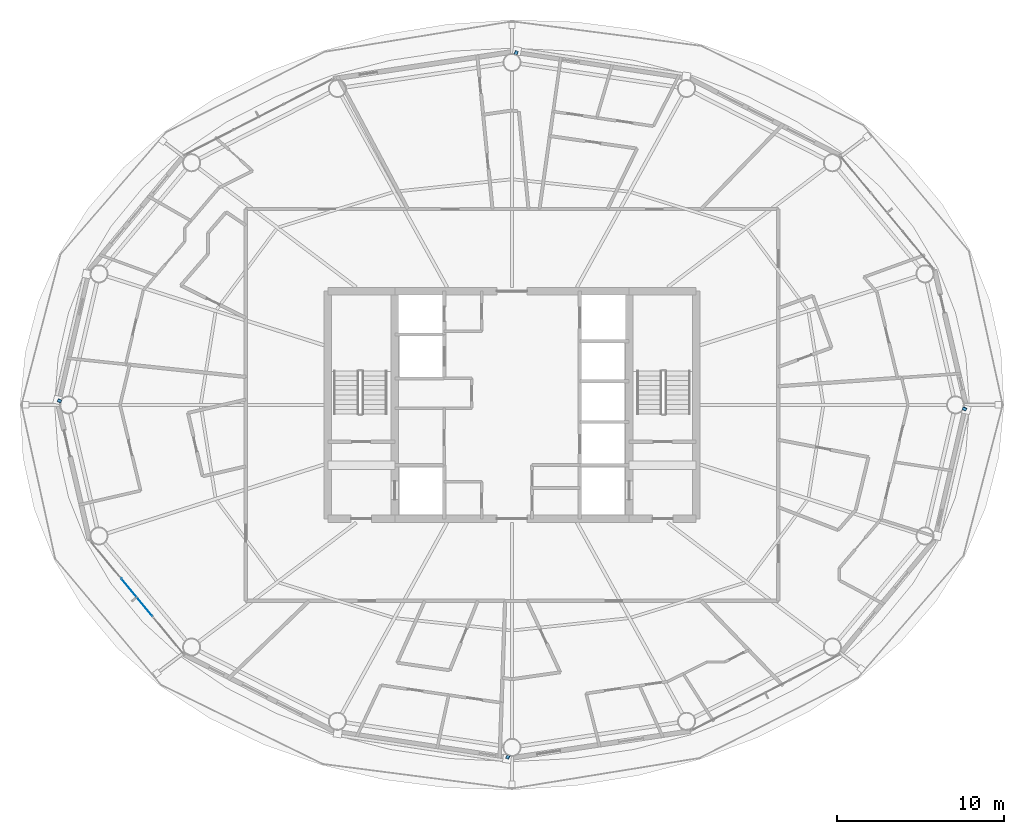
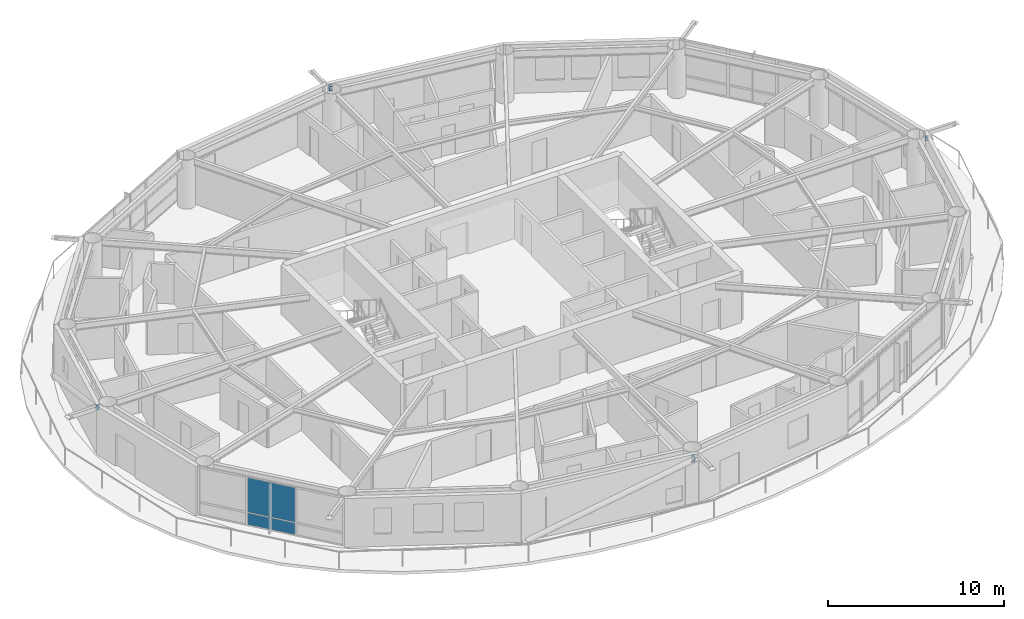
# One storey, part 16 of 28: 4 members, 2 plates, 1 element without a shape of its own.
"""IFC4 building model written with IfcOpenShell, lengths in metres."""

from ifc_helpers import new_model, si_unit, direction, frame, origin, origin_2d, place, context, subcontext, project, spatial, rectangle, hollow_rectangle, extrude, material, layer, layer_set, material_profile, profile_set, type_object, element, aggregate, save


model = new_model("IFC4")

# Units and contexts
model_context = context("Model", 3, precision=1e-05, world=origin(), true_north=direction((0.0, 1.0)))
body_context = subcontext(model_context, "Body", "Model", "MODEL_VIEW")
ifc_project = project(units=[si_unit("LENGTHUNIT", "METRE"), si_unit("AREAUNIT", "SQUARE_METRE"), si_unit("VOLUMEUNIT", "CUBIC_METRE"), si_unit("PLANEANGLEUNIT", "RADIAN"), si_unit("MASSUNIT", "GRAM", prefix="KILO")], contexts=[model_context])

# Site, building, storey
site_placement = place(None, origin())
site = spatial("IfcSite", under=ifc_project, at=site_placement, CompositionType="ELEMENT")
building_placement = place(site_placement, origin())
building = spatial("IfcBuilding", under=site, at=building_placement, Name="Sarneth Arch Tower", CompositionType="ELEMENT")
storey_placement = place(building_placement, frame((0.0, 0.0, 154.199951171875)))
storey = spatial("IfcBuildingStorey", under=building, at=storey_placement, Name="L38", CompositionType="ELEMENT", Elevation=154.199951171875)

# Members
ifc_material_1 = material(Name="Steel S355", Category="steel")
ifc_material_profile = material_profile(ifc_material_1, hollow_rectangle(XDim=0.199951171875, YDim=0.300048828125, WallThickness=0.012451171875, InnerFilletRadius=0.018798828125, OuterFilletRadius=0.03125, at=origin_2d()), Name="RHS300x200x12.5")
ifc_profile_set = profile_set([ifc_material_profile], Name="Steel S355")
member_type = type_object("IfcMemberType", Name="MEM-CANT-STRUT", PredefinedType="STRUT", material=ifc_profile_set)
member_1_placement = place(storey_placement, frame((48.187744140625, 62.883544921875, 3.050537109375), z_axis=(0.397032763308, 0.917804437154, 0.0), x_axis=(-0.917804437154, 0.397032763308, 0.0)))
element("IfcMember", 1, at=member_1_placement, inside=storey, type_object=member_type, Name="L38 Exoskeleton brace node strut 04B", PredefinedType="STRUT", context=body_context, shape_type="SweptSolid", body=[
    extrude(hollow_rectangle(XDim=0.199951171875, YDim=0.300048828125, WallThickness=0.012451171875, InnerFilletRadius=0.018798828125, OuterFilletRadius=0.03125, at=origin_2d()), origin(), (0.0, 0.0, 1.0), 0.274169921875),
])
member_2_placement = place(storey_placement, frame((21.0830078125, 42.19580078125, 3.050537109375), z_axis=(-0.910186836564, 0.414197926777, 0.0), x_axis=(-0.414197926777, -0.910186836564, 0.0)))
element("IfcMember", 2, at=member_2_placement, inside=storey, type_object=member_type, Name="L38 Exoskeleton brace node strut 08B", PredefinedType="STRUT", context=body_context, shape_type="SweptSolid", body=[
    extrude(hollow_rectangle(XDim=0.199951171875, YDim=0.300048828125, WallThickness=0.012451171875, InnerFilletRadius=0.018798828125, OuterFilletRadius=0.03125, at=origin_2d()), origin(), (0.0, 0.0, 1.0), 0.23291015625),
])
member_3_placement = place(storey_placement, frame((47.812255859375, 21.116455078125, 3.050537109375), z_axis=(-0.397032763308, -0.917804437154, 0.0), x_axis=(0.917804437154, -0.397032763308, 0.0)))
element("IfcMember", 3, at=member_3_placement, inside=storey, type_object=member_type, Name="L38 Exoskeleton brace node strut 12B", PredefinedType="STRUT", context=body_context, shape_type="SweptSolid", body=[
    extrude(hollow_rectangle(XDim=0.199951171875, YDim=0.300048828125, WallThickness=0.012451171875, InnerFilletRadius=0.018798828125, OuterFilletRadius=0.03125, at=origin_2d()), origin(), (0.0, 0.0, 1.0), 0.274169921875),
])
member_4_placement = place(storey_placement, frame((74.9169921875, 41.80419921875, 3.050537109375), z_axis=(0.910186836564, -0.414197926777, 0.0), x_axis=(0.414197926777, 0.910186836564, 0.0)))
element("IfcMember", 4, at=member_4_placement, inside=storey, type_object=member_type, Name="L38 Exoskeleton brace node strut 16B", PredefinedType="STRUT", context=body_context, shape_type="SweptSolid", body=[
    extrude(hollow_rectangle(XDim=0.199951171875, YDim=0.300048828125, WallThickness=0.012451171875, InnerFilletRadius=0.018798828125, OuterFilletRadius=0.03125, at=origin_2d()), origin(), (0.0, 0.0, 1.0), 0.23291015625),
])

# Curtain wall, plates
ifc_material_2 = material(Name="Anodised aluminium Type AA25 and solar-control low-e laminated IGU", Category="aluminium")
ifc_layer_1 = layer(ifc_material_2, 0.169921875)
ifc_layer_set_1 = layer_set([ifc_layer_1], Name="Anodised aluminium Type AA25 and solar-control low-e laminated IGU")
curtain_wall_type = type_object("IfcCurtainWallType", Name="CW-RES-MID", PredefinedType="NOTDEFINED", material=ifc_layer_set_1)
curtain_wall_placement = place(storey_placement, origin())
curtain_wall = element("IfcCurtainWall", 5, at=curtain_wall_placement, inside=storey, type_object=curtain_wall_type, Name="L38 Unitised curtain wall facet 10", PredefinedType="NOTDEFINED")
ifc_material_3 = material(Name="Solar-control low-e laminated IGU", Category="glass")
ifc_layer_2 = layer(ifc_material_3, 0.028076171875)
ifc_layer_set_2 = layer_set([ifc_layer_2], Name="Solar-control low-e laminated IGU")
plate_type = type_object("IfcPlateType", Name="CW-PANEL", PredefinedType="CURTAIN_PANEL", material=ifc_layer_set_2)
plate_1_placement = place(storey_placement, frame((25.595703125, 30.513671875, 0.06005859375), z_axis=(0.0, 0.0, 1.0), x_axis=(0.637330298558, -0.770590741276, 0.0)))
plate_1 = element("IfcPlate", 6, at=plate_1_placement, type_object=plate_type, Name="Curtain wall glazed vision pane CW-L38-F10/P01-00", PredefinedType="CURTAIN_PANEL", context=body_context, shape_type="SweptSolid", body=[
    extrude(rectangle(XDim=2.898193359375, YDim=0.028076171875, at=origin_2d()), origin(), (0.0, 0.0, 1.0), 0.81005859375),
])
plate_2_placement = place(storey_placement, frame((25.595703125, 30.513671875, 0.93017578125), z_axis=(0.0, 0.0, 1.0), x_axis=(0.637330298558, -0.770590741276, 0.0)))
plate_2 = element("IfcPlate", 7, at=plate_2_placement, type_object=plate_type, Name="Curtain wall glazed vision pane CW-L38-F10/P01-01", PredefinedType="CURTAIN_PANEL", context=body_context, shape_type="SweptSolid", body=[
    extrude(rectangle(XDim=2.898193359375, YDim=0.028076171875, at=origin_2d()), origin(), (0.0, 0.0, 1.0), 2.389892578125),
])
aggregate(curtain_wall, [plate_1, plate_2])

save(model, "model.ifc")
